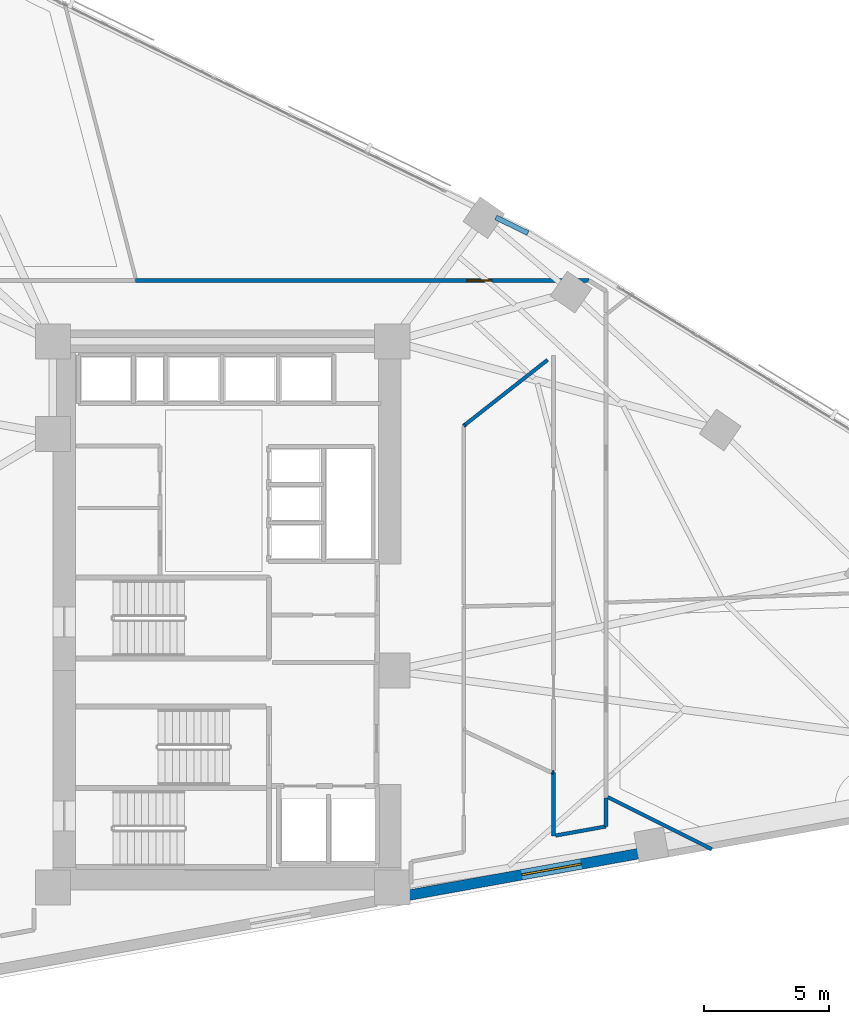
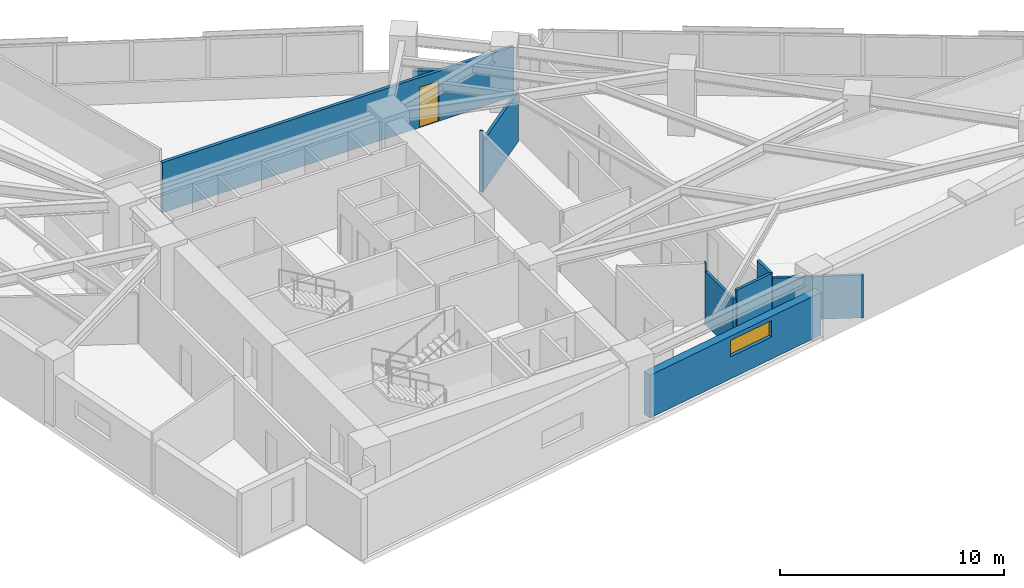
# One storey, part 15 of 19: 10 walls, 1 door, 1 window, 2 openings.
"""IFC4 building model written with IfcOpenShell, lengths in metres."""

import ifcopenshell
import ifcopenshell.guid

model = None  # the IFC model being written
_history = None  # IfcOwnerHistory: only IFC2X3 demands one
_inside = {}  # id of a spatial element -> (the spatial element, [elements in it])
_under = {}  # id of a project, library or spatial element -> (it, [spatial elements below it])
_declared = {}  # id of a project -> (the project, [libraries it declares])
_typed = {}  # id of a type object -> (the type object, [elements of that type])
_made_of = {}  # id of a material, layer set ... -> (it, [elements and type objects made of it])


def new_model(schema):
    """Start an empty IFC model of exactly this schema.

    Asked for "IFC4X3", IfcOpenShell would pick the latest addendum, in which some entities
    have other attributes; the version numbers below select the first issue.
    IFC2X3 requires an IfcOwnerHistory on every rooted entity: one is made here for all.
    """
    global model, _history
    if schema == "IFC4X3":
        model = ifcopenshell.file(schema_version=(4, 3, 0, 0))
    else:
        model = ifcopenshell.file(schema=schema)
    _inside.clear()
    _under.clear()
    _declared.clear()
    _typed.clear()
    _made_of.clear()
    _history = None
    if model.schema == "IFC2X3":
        org = make("IfcOrganization", Name="unknown")
        user = make(
            "IfcPersonAndOrganization",
            ThePerson=make("IfcPerson", FamilyName="unknown"),
            TheOrganization=org,
        )
        app = make(
            "IfcApplication",
            ApplicationDeveloper=org,
            Version="unknown",
            ApplicationFullName="unknown",
            ApplicationIdentifier="unknown",
        )
        _history = make(
            "IfcOwnerHistory",
            OwningUser=user,
            OwningApplication=app,
            ChangeAction="ADDED",
            CreationDate=0,
        )
    return model


def make(cls, **values):
    """One entity of the class cls with the attributes given. An attribute that is None is left unset."""
    return model.create_entity(
        cls, **{name: value for name, value in values.items() if value is not None}
    )


def rooted(cls, **values):
    """An entity with a GlobalId (a new one), such as an element, a storey or a relation."""
    return make(cls, GlobalId=ifcopenshell.guid.new(), OwnerHistory=_history, **values)


def si_unit(unit_type, name, prefix=None):
    """IfcSIUnit, for example si_unit("LENGTHUNIT", "METRE", prefix="MILLI")."""
    return make("IfcSIUnit", UnitType=unit_type, Prefix=prefix, Name=name)


def assignment(units):
    """IfcUnitAssignment: the units of a project."""
    return None if units is None else make("IfcUnitAssignment", Units=units)


def point(xyz):
    """IfcCartesianPoint."""
    return None if xyz is None else make("IfcCartesianPoint", Coordinates=xyz)


def direction(xyz):
    """IfcDirection."""
    return None if xyz is None else make("IfcDirection", DirectionRatios=xyz)


def frame(location, z_axis=None, x_axis=None):
    """IfcAxis2Placement3D, a coordinate frame: its origin and axes. An axis left out is left unset."""
    return make(
        "IfcAxis2Placement3D",
        Location=point(location),
        Axis=direction(z_axis),
        RefDirection=direction(x_axis),
    )


def frame_2d(location, x_axis=None):
    """IfcAxis2Placement2D, a coordinate frame in the plane: its origin and x axis."""
    return make(
        "IfcAxis2Placement2D", Location=point(location), RefDirection=direction(x_axis)
    )


def origin():
    """The frame at (0, 0, 0) with its axes left unset."""
    return frame((0.0, 0.0, 0.0))


def place(relative_to, where):
    """IfcLocalPlacement: puts the frame where relative to a parent placement (None: the world)."""
    return make(
        "IfcLocalPlacement", PlacementRelTo=relative_to, RelativePlacement=where
    )


def context(
    kind, dimensions, precision=None, world=None, true_north=None, identifier=None
):
    """IfcGeometricRepresentationContext, for example the 3D "Model" context."""
    return make(
        "IfcGeometricRepresentationContext",
        ContextIdentifier=identifier,
        ContextType=kind,
        CoordinateSpaceDimension=dimensions,
        Precision=precision,
        WorldCoordinateSystem=world,
        TrueNorth=true_north,
    )


def subcontext(parent, identifier, kind, view, scale=None):
    """IfcGeometricRepresentationSubContext, for example "Body" below "Model"."""
    return make(
        "IfcGeometricRepresentationSubContext",
        ContextIdentifier=identifier,
        ContextType=kind,
        ParentContext=parent,
        TargetScale=scale,
        TargetView=view,
    )


def project(units=None, contexts=None):
    """IfcProject with its units and contexts."""
    return rooted(
        "IfcProject",
        Name="project",
        RepresentationContexts=contexts,
        UnitsInContext=assignment(units),
    )


def spatial(cls, under=None, at=None, **own):
    """A site, building, storey or space (cls), placed at a placement, below another one or the project."""
    s = rooted(cls, ObjectPlacement=at, **own)
    if under is not None:
        _under.setdefault(under.id(), (under, []))[1].append(s)
    return s


def profile(cls, at=None, kind="AREA", **sizes):
    """A parametric profile (cls). Its sizes go by their IFC names, for example OverallWidth=200.0."""
    return make(cls, ProfileType=kind, Position=at, **sizes)


def rectangle(**sizes):
    """IfcRectangleProfileDef."""
    return profile("IfcRectangleProfileDef", **sizes)


def extrude(swept, where, along, depth):
    """IfcExtrudedAreaSolid: the profile swept, set in the frame where, extruded along a direction by depth."""
    return make(
        "IfcExtrudedAreaSolid",
        SweptArea=swept,
        Position=where,
        ExtrudedDirection=direction(along),
        Depth=depth,
    )


def shape(context_of_items, identifier, shape_type, items):
    """IfcShapeRepresentation: the items that make up one representation, for example the "Body"."""
    return make(
        "IfcShapeRepresentation",
        ContextOfItems=context_of_items,
        RepresentationIdentifier=identifier,
        RepresentationType=shape_type,
        Items=items,
    )


def material(Name=None, Category=None):
    """IfcMaterial."""
    return make("IfcMaterial", Name=Name, Category=Category)


def layer(
    of_material, thickness, ventilated=None, Name=None, Category=None, Priority=None
):
    """IfcMaterialLayer: one layer of a wall or slab, of a material (None: an air gap)."""
    return make(
        "IfcMaterialLayer",
        Material=of_material,
        LayerThickness=thickness,
        IsVentilated=ventilated,
        Name=Name,
        Category=Category,
        Priority=Priority,
    )


def layer_set(layers, Name=None):
    """IfcMaterialLayerSet."""
    return make("IfcMaterialLayerSet", MaterialLayers=layers, LayerSetName=Name)


def made_of(thing, what):
    """Note that an element or type object is made of a material, layer set ...; save() writes the relation."""
    if what is not None:
        _made_of.setdefault(what.id(), (what, []))[1].append(thing)
    return thing


def type_object(cls, material=None, **own):
    """A type object (cls), such as IfcWallType, which elements share."""
    return made_of(rooted(cls, **own), material)


def element(
    cls,
    number,
    at=None,
    inside=None,
    cuts=None,
    type_object=None,
    material=None,
    context=None,
    identifier="Body",
    shape_type=None,
    held_by="IfcProductDefinitionShape",
    body=None,
    shapes=None,
    **own,
):
    """One element of the class cls, such as IfcWall. Its Tag is "e" and its number.

    at: its placement. inside: the storey or other place that contains it. cuts: it is an
    opening in that element (IfcRelVoidsElement). A single representation is given by context,
    identifier, shape_type and body (its items); several are given by shapes. held_by: the class
    of the entity that holds the representations. save() writes the other relations.
    """
    e = rooted(cls, Tag="e%d" % number, ObjectPlacement=at, **own)
    if body is not None:
        shapes = [shape(context, identifier, shape_type, body)]
    if shapes is not None:
        e.Representation = make(held_by, Representations=shapes)
    if inside is not None:
        _inside.setdefault(inside.id(), (inside, []))[1].append(e)
    if cuts is not None:
        rooted(
            "IfcRelVoidsElement", RelatingBuildingElement=cuts, RelatedOpeningElement=e
        )
    if type_object is not None:
        _typed.setdefault(type_object.id(), (type_object, []))[1].append(e)
    return made_of(e, material)


def fill(opening, filler):
    """IfcRelFillsElement: the door or window that sits in an opening."""
    return rooted(
        "IfcRelFillsElement",
        RelatingOpeningElement=opening,
        RelatedBuildingElement=filler,
    )


def aggregate(whole, parts):
    """IfcRelAggregates: a whole, such as a stair, and the parts it consists of."""
    return rooted("IfcRelAggregates", RelatingObject=whole, RelatedObjects=parts)


def save(model, path):
    """Write the relations noted so far, then the file.

    IfcRelAggregates (storeys below a building ...), IfcRelContainedInSpatialStructure (elements
    in a storey), IfcRelDefinesByType, IfcRelAssociatesMaterial and IfcRelDeclares: one each for
    every whole, place, type object, material and project.
    """
    for whole, parts in _under.values():
        aggregate(whole, parts)
    for where, things in _inside.values():
        rooted(
            "IfcRelContainedInSpatialStructure",
            RelatedElements=things,
            RelatingStructure=where,
        )
    for kind, things in _typed.values():
        rooted("IfcRelDefinesByType", RelatedObjects=things, RelatingType=kind)
    for what, things in _made_of.values():
        rooted("IfcRelAssociatesMaterial", RelatedObjects=things, RelatingMaterial=what)
    for by, libraries in _declared.values():
        rooted("IfcRelDeclares", RelatingContext=by, RelatedDefinitions=libraries)
    model.write(path)


model = new_model("IFC4")

# Units and contexts
model_context = context("Model", 3, precision=1e-05, world=origin(), true_north=direction((0.0, 1.0)))
body_context = subcontext(model_context, "Body", "Model", "MODEL_VIEW")
ifc_project = project(units=[si_unit("LENGTHUNIT", "METRE"), si_unit("AREAUNIT", "SQUARE_METRE"), si_unit("VOLUMEUNIT", "CUBIC_METRE"), si_unit("PLANEANGLEUNIT", "RADIAN"), si_unit("MASSUNIT", "GRAM", prefix="KILO")], contexts=[model_context])

# Site, building, storey
site_placement = place(None, origin())
site = spatial("IfcSite", under=ifc_project, at=site_placement, CompositionType="ELEMENT")
building_placement = place(site_placement, origin())
building = spatial("IfcBuilding", under=site, at=building_placement, Name="Narakoshi Arena Tower", CompositionType="ELEMENT")
storey_placement = place(building_placement, frame((0.0, 0.0, 113.699951171875)))
storey = spatial("IfcBuildingStorey", under=building, at=storey_placement, Name="L30", CompositionType="ELEMENT", Elevation=113.699951171875)

# Wall, opening, door
ifc_material_1 = material(Name="Gypsum plasterboard fire-rated partition")
ifc_layer_1 = layer(ifc_material_1, 0.1650390625)
ifc_layer_set_1 = layer_set([ifc_layer_1], Name="Gypsum plasterboard fire-rated partition")
wall_type_1 = type_object("IfcWallType", Name="WL-CORR-165", PredefinedType="PARTITIONING", material=ifc_layer_set_1)
wall_1_placement = place(storey_placement, frame((93.396240234375, 58.927978515625, 0.0), z_axis=(0.0, 0.0, 1.0), x_axis=(-1.0, 0.0, 0.0)))
wall_1 = element("IfcWall", 1, at=wall_1_placement, inside=storey, type_object=wall_type_1, Name="L30 Corridor Partition 07-1", PredefinedType="PARTITIONING", context=body_context, shape_type="SweptSolid", body=[
    extrude(rectangle(XDim=18.099853515625, YDim=0.1650390625, at=frame_2d((9.0498046875, 0.0))), origin(), (0.0, 0.0, 1.0), 2.72509765625),
])
opening_1_placement = place(wall_1_placement, frame((3.8740234375, 0.0, 0.0)))
opening_1 = element("IfcOpeningElement", 2, at=opening_1_placement, cuts=wall_1, Name="Opening D-06", PredefinedType="OPENING", context=body_context, shape_type="SweptSolid", body=[
    extrude(rectangle(XDim=1.0, YDim=2.199951171875, at=frame_2d((0.5, 1.10009765625))), frame((0.0, 0.092529296875, 0.0), z_axis=(0.0, -1.0, 0.0), x_axis=(1.0, 0.0, 0.0)), (0.0, 0.0, 1.0), 0.18505859375),
])
ifc_material_2 = material(Name="Stained oak solid-core timber", Category="wood")
door_type = type_object("IfcDoorType", Name="DR-OFF-1000", OperationType="NOTDEFINED", PredefinedType="DOOR", material=ifc_material_2)
door_placement = place(opening_1_placement, frame((1.0, 0.0, 0.0), z_axis=(0.0, 0.0, 1.0), x_axis=(-1.0, 0.0, 0.0)))
door = element("IfcDoor", 3, at=door_placement, inside=storey, type_object=door_type, Name="DR-L30-021", OperationType="SINGLE_SWING_RIGHT", OverallHeight=2.199951171875, OverallWidth=1.0, PredefinedType="DOOR", context=body_context, shape_type="SweptSolid", body=[
    extrude(rectangle(XDim=1.0, YDim=2.199951171875, at=frame_2d((0.5, 1.10009765625))), frame((0.0, 0.02490234375, 0.0), z_axis=(0.0, -1.0, 0.0), x_axis=(1.0, 0.0, 0.0)), (0.0, 0.0, 1.0), 0.050048828125),
])
fill(opening_1, door)

# Wall
ifc_material_3 = material(Name="Precast concrete C45/55", Category="concrete")
ifc_layer_2 = layer(ifc_material_3, 0.25)
ifc_layer_set_2 = layer_set([ifc_layer_2], Name="Precast concrete C45/55")
wall_type_2 = type_object("IfcWallType", Name="WL-PARA-250", PredefinedType="PARAPET", material=ifc_layer_set_2)
wall_2_placement = place(storey_placement, frame((90.96435546875, 60.821533203125, 0.0), z_axis=(0.0, 0.0, 1.0), x_axis=(-0.898000468284, 0.439994498787, 0.0)))
element("IfcWall", 4, at=wall_2_placement, inside=storey, type_object=wall_type_2, Name="L30 Hypotenuse Sill Upstand Parapet 2-01", PredefinedType="PARAPET", context=body_context, shape_type="SweptSolid", body=[
    extrude(rectangle(XDim=1.42333984375, YDim=0.199951171875, at=frame_2d((0.711669921875, 0.0))), origin(), (0.0, 0.0, 1.0), 1.150146484375),
])

# Wall, opening, window
ifc_layer_3 = layer(ifc_material_3, 0.419921875)
ifc_layer_set_3 = layer_set([ifc_layer_3], Name="Precast concrete C45/55")
wall_type_3 = type_object("IfcWallType", Name="WL-POD-420", PredefinedType="SOLIDWALL", material=ifc_layer_set_3)
wall_3_placement = place(storey_placement, frame((86.10009765625, 34.3671875, 0.0), z_axis=(0.0, 0.0, 1.0), x_axis=(0.9840437071, 0.177926902172, 0.0)))
wall_3 = element("IfcWall", 5, at=wall_3_placement, inside=storey, type_object=wall_type_3, Name="L30 Architectural Concrete Facade Wall LEGA-2", PredefinedType="SOLIDWALL", context=body_context, shape_type="SweptSolid", body=[
    extrude(rectangle(XDim=9.997314453125, YDim=0.419921875, at=frame_2d((4.99853515625, 0.0))), origin(), (0.0, 0.0, 1.0), 2.324951171875),
])
opening_2_placement = place(wall_3_placement, frame((4.702392578125, 0.0, 1.199951171875)))
opening_2 = element("IfcOpeningElement", 6, at=opening_2_placement, cuts=wall_3, Name="Opening WN-01", PredefinedType="OPENING", context=body_context, shape_type="SweptSolid", body=[
    extrude(rectangle(XDim=2.39990234375, YDim=0.89990234375, at=frame_2d((1.199951171875, 0.449951171875))), frame((0.0, 0.219970703125, 0.0), z_axis=(0.0, -1.0, 0.0), x_axis=(1.0, 0.0, 0.0)), (0.0, 0.0, 1.0), 0.43994140625),
])
ifc_material_4 = material(Name="Bronze-tinted low-E laminated glass", Category="glass")
window_type = type_object("IfcWindowType", Name="WIN-SLT-24x09", PartitioningType="SINGLE_PANEL", PredefinedType="WINDOW", material=ifc_material_4)
window_placement = place(opening_2_placement, origin())
window = element("IfcWindow", 7, at=window_placement, inside=storey, type_object=window_type, Name="L30 LEGA2 Horizontal Slot Window 1", OverallHeight=0.89990234375, OverallWidth=2.39990234375, PartitioningType="SINGLE_PANEL", PredefinedType="WINDOW", context=body_context, shape_type="SweptSolid", body=[
    extrude(rectangle(XDim=2.39990234375, YDim=0.89990234375, at=frame_2d((1.199951171875, 0.449951171875))), frame((0.0, 0.030029296875, 0.0), z_axis=(0.0, -1.0, 0.0), x_axis=(1.0, 0.0, 0.0)), (0.0, 0.0, 1.0), 0.06005859375),
])
fill(opening_2, window)

# Walls
ifc_material_5 = material(Name="Moisture-resistant cement-board partition")
ifc_layer_4 = layer(ifc_material_5, 0.14501953125)
ifc_layer_set_4 = layer_set([ifc_layer_4], Name="Moisture-resistant cement-board partition")
wall_type_4 = type_object("IfcWallType", Name="WL-WET-145", PredefinedType="PARTITIONING", material=ifc_layer_set_4)
wall_4_placement = place(storey_placement, frame((98.310302734375, 36.219482421875, 0.0), z_axis=(0.0, 0.0, 1.0), x_axis=(-0.89428014348, 0.447507569744, 0.0)))
element("IfcWall", 8, at=wall_4_placement, inside=storey, type_object=wall_type_4, Name="L30 Inter-Room Partition 02-03", PredefinedType="PARTITIONING", context=body_context, shape_type="SweptSolid", body=[
    extrude(rectangle(XDim=4.650390625, YDim=0.14501953125, at=frame_2d((2.3251953125, 0.0))), origin(), (0.0, 0.0, 1.0), 2.324951171875),
])
wall_5_placement = place(storey_placement, frame((91.985107421875, 39.278564453125, 0.0), z_axis=(0.0, 0.0, 1.0), x_axis=(0.0, -1.0, 0.0)))
element("IfcWall", 9, at=wall_5_placement, inside=storey, type_object=wall_type_4, Name="L30 Corridor Partition 03-2", PredefinedType="PARTITIONING", context=body_context, shape_type="SweptSolid", body=[
    extrude(rectangle(XDim=2.526123046875, YDim=0.14501953125, at=frame_2d((1.26318359375, 0.0))), origin(), (0.0, 0.0, 1.0), 2.875),
])
wall_6_placement = place(storey_placement, frame((92.069580078125, 36.767578125, 0.0), z_axis=(0.0, 0.0, 1.0), x_axis=(0.984035419871, 0.177972729481, 0.0)))
element("IfcWall", 10, at=wall_6_placement, inside=storey, type_object=wall_type_4, Name="L30 Corridor Partition 03-4", PredefinedType="PARTITIONING", context=body_context, shape_type="SweptSolid", body=[
    extrude(rectangle(XDim=2.048095703125, YDim=0.14501953125, at=frame_2d((1.02392578125, 0.0))), origin(), (0.0, 0.0, 1.0), 3.340087890625),
])
wall_7_placement = place(storey_placement, frame((94.0849609375, 37.132080078125, 0.0), z_axis=(0.0, 0.0, 1.0), x_axis=(0.0, 1.0, 0.0)))
element("IfcWall", 11, at=wall_7_placement, inside=storey, type_object=wall_type_4, Name="L30 Corridor Partition 03-5", PredefinedType="PARTITIONING", context=body_context, shape_type="SweptSolid", body=[
    extrude(rectangle(XDim=1.141845703125, YDim=0.14501953125, at=frame_2d((0.57080078125, 0.0))), origin(), (0.0, 0.0, 1.0), 3.340087890625),
])
wall_8_placement = place(storey_placement, frame((91.925048828125, 39.307373046875, 0.0), z_axis=(0.0, 0.0, 1.0), x_axis=(0.901637414301, -0.432492743445, 0.0)))
element("IfcWall", 12, at=wall_8_placement, inside=storey, type_object=wall_type_4, Name="L30 Corridor Partition 03-6", PredefinedType="PARTITIONING", context=body_context, shape_type="SweptSolid", body=[
    extrude(rectangle(XDim=0.066650390625, YDim=0.14501953125, at=frame_2d((0.033203125, 0.0))), origin(), (0.0, 0.0, 1.0), 3.340087890625),
])
wall_9_placement = place(storey_placement, frame((88.39990234375, 53.12548828125, 0.0), z_axis=(0.0, 0.0, 1.0), x_axis=(0.785209472927, 0.619230234747, 0.0)))
element("IfcWall", 13, at=wall_9_placement, inside=storey, type_object=wall_type_4, Name="L30 Corridor Partition 06-3", PredefinedType="PARTITIONING", context=body_context, shape_type="SweptSolid", body=[
    extrude(rectangle(XDim=0.076416015625, YDim=0.14501953125, at=frame_2d((0.0380859375, 0.0))), origin(), (0.0, 0.0, 1.0), 3.340087890625),
])
wall_10_placement = place(storey_placement, frame((88.4599609375, 53.1728515625, 0.0), z_axis=(0.0, 0.0, 1.0), x_axis=(0.786407363557, 0.617708230918, 0.0)))
element("IfcWall", 14, at=wall_10_placement, inside=storey, type_object=wall_type_4, Name="L30 Room Enclosure Partition 06-1", PredefinedType="PARTITIONING", context=body_context, shape_type="SweptSolid", body=[
    extrude(rectangle(XDim=4.186767578125, YDim=0.14501953125, at=frame_2d((2.09326171875, 0.0))), origin(), (0.0, 0.0, 1.0), 2.72509765625),
])

save(model, "model.ifc")
